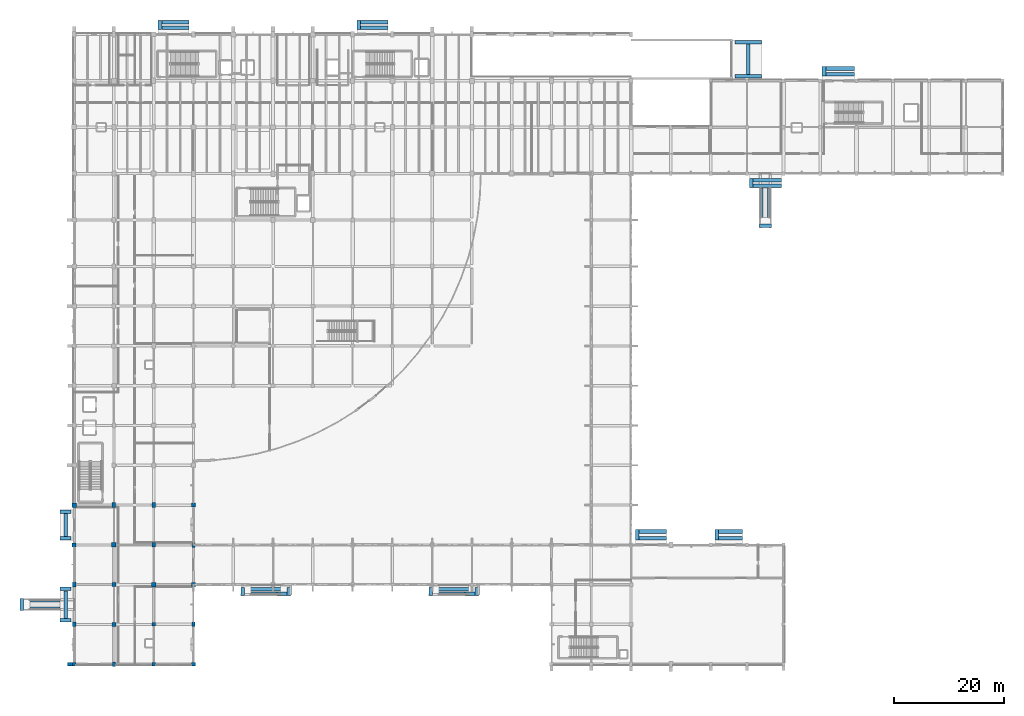
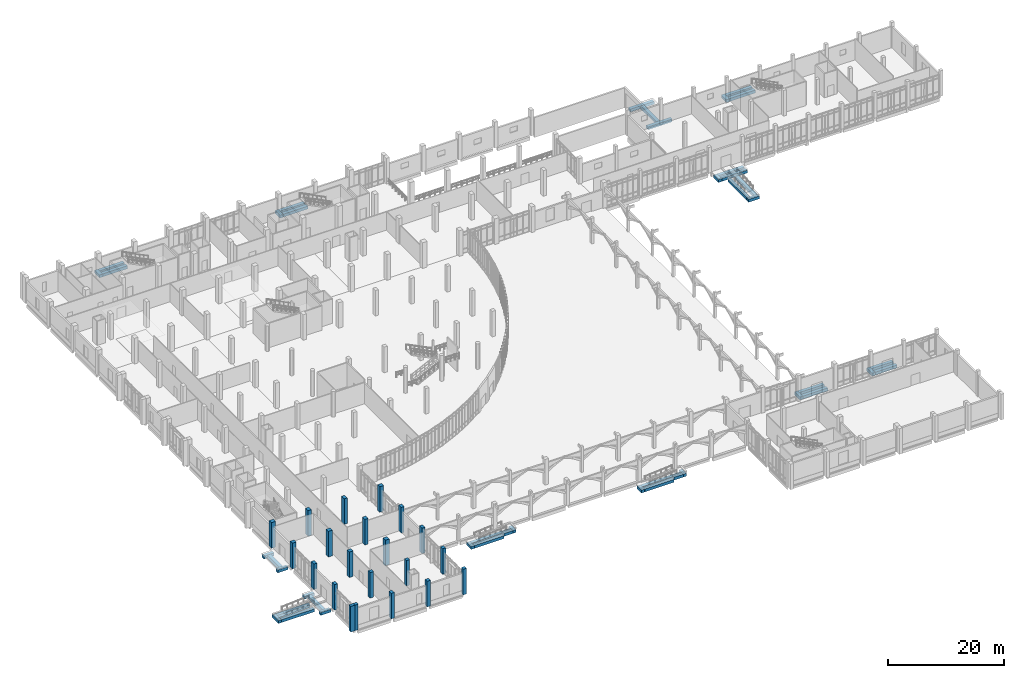
# One storey, part 1 of 110: 43 footings, 21 columns.
"""IFC4 building model written with IfcOpenShell, lengths in metres."""

from ifc_helpers import new_model, si_unit, direction, frame, origin, origin_2d, place, context, subcontext, project, spatial, rectangle, extrude, material, material_profile, profile_set, type_object, element, save


model = new_model("IFC4")

# Units and contexts
model_context = context("Model", 3, precision=1e-05, world=origin(), true_north=direction((0.0, 1.0)))
body_context = subcontext(model_context, "Body", "Model", "MODEL_VIEW")
ifc_project = project(units=[si_unit("LENGTHUNIT", "METRE"), si_unit("AREAUNIT", "SQUARE_METRE"), si_unit("VOLUMEUNIT", "CUBIC_METRE"), si_unit("PLANEANGLEUNIT", "RADIAN"), si_unit("MASSUNIT", "GRAM", prefix="KILO")], contexts=[model_context])

# Site, building, storey
site_placement = place(None, origin())
site = spatial("IfcSite", under=ifc_project, at=site_placement, CompositionType="ELEMENT")
building_placement = place(site_placement, origin())
building = spatial("IfcBuilding", under=site, at=building_placement, Name="Kalluvel Institute of Natural Sciences", CompositionType="ELEMENT")
storey_placement = place(building_placement, origin())
storey = spatial("IfcBuildingStorey", under=building, at=storey_placement, Name="L00", CompositionType="ELEMENT", Elevation=0.0)

# Footings
ifc_material_1 = material(Name="Concrete M40", Category="concrete")
footing_type = type_object("IfcFootingType", Name="FT-STRIP-650x600", PredefinedType="STRIP_FOOTING", material=ifc_material_1)
footing_1_placement = place(storey_placement, frame((47.794921875, 26.75, -1.27001953125), z_axis=(0.0, 0.0, 1.0), x_axis=(1.0, 0.0, 0.0)))
element("IfcFooting", 1, at=footing_1_placement, inside=storey, type_object=footing_type, Name="Accessible ramp R2 south strip footing SF-010", PredefinedType="STRIP_FOOTING", context=body_context, shape_type="SweptSolid", body=[
    extrude(rectangle(XDim=5.8701171875, YDim=0.64990234375, at=origin_2d()), origin(), (0.0, 0.0, 1.0), 0.60009765625),
])
footing_2_placement = place(storey_placement, frame((48.699951171875, 27.60009765625, -1.27001953125), z_axis=(0.0, 0.0, 1.0), x_axis=(1.0, 0.0, 0.0)))
element("IfcFooting", 2, at=footing_2_placement, inside=storey, type_object=footing_type, Name="Accessible ramp R2 north strip footing SF-011", PredefinedType="STRIP_FOOTING", context=body_context, shape_type="SweptSolid", body=[
    extrude(rectangle(XDim=7.679931640625, YDim=0.64990234375, at=origin_2d()), origin(), (0.0, 0.0, 1.0), 0.60009765625),
])
footing_3_placement = place(storey_placement, frame((44.52490234375, 27.175048828125, -1.27001953125), z_axis=(0.0, 0.0, 1.0), x_axis=(1.0, 0.0, 0.0)))
element("IfcFooting", 3, at=footing_3_placement, inside=storey, type_object=footing_type, Name="Accessible ramp R2 west toe strip footing SF-012", PredefinedType="STRIP_FOOTING", context=body_context, shape_type="SweptSolid", body=[
    extrude(rectangle(XDim=0.64990234375, YDim=1.5, at=origin_2d()), origin(), (0.0, 0.0, 1.0), 0.60009765625),
])
footing_4_placement = place(storey_placement, frame((51.639892578125, 26.75, -0.820068359375), z_axis=(0.0, 0.0, 1.0), x_axis=(1.0, 0.0, 0.0)))
element("IfcFooting", 4, at=footing_4_placement, inside=storey, type_object=footing_type, Name="Accessible ramp R2 east top south strip footing SF-013", PredefinedType="STRIP_FOOTING", context=body_context, shape_type="SweptSolid", body=[
    extrude(rectangle(XDim=1.800048828125, YDim=0.64990234375, at=origin_2d()), origin(), (0.0, 0.0, 1.0), 0.60009765625),
])
footing_5_placement = place(storey_placement, frame((52.875, 27.175048828125, -0.820068359375), z_axis=(0.0, 0.0, 1.0), x_axis=(1.0, 0.0, 0.0)))
element("IfcFooting", 5, at=footing_5_placement, inside=storey, type_object=footing_type, Name="Accessible ramp R2 east end strip footing SF-014", PredefinedType="STRIP_FOOTING", context=body_context, shape_type="SweptSolid", body=[
    extrude(rectangle(XDim=0.64990234375, YDim=1.5, at=origin_2d()), origin(), (0.0, 0.0, 1.0), 0.60009765625),
])
footing_6_placement = place(storey_placement, frame((81.794921875, 26.75, -1.27001953125), z_axis=(0.0, 0.0, 1.0), x_axis=(1.0, 0.0, 0.0)))
element("IfcFooting", 6, at=footing_6_placement, inside=storey, type_object=footing_type, Name="Accessible ramp R3 south strip footing SF-015", PredefinedType="STRIP_FOOTING", context=body_context, shape_type="SweptSolid", body=[
    extrude(rectangle(XDim=5.8701171875, YDim=0.64990234375, at=origin_2d()), origin(), (0.0, 0.0, 1.0), 0.60009765625),
])
footing_7_placement = place(storey_placement, frame((82.699951171875, 27.60009765625, -1.27001953125), z_axis=(0.0, 0.0, 1.0), x_axis=(1.0, 0.0, 0.0)))
element("IfcFooting", 7, at=footing_7_placement, inside=storey, type_object=footing_type, Name="Accessible ramp R3 north strip footing SF-016", PredefinedType="STRIP_FOOTING", context=body_context, shape_type="SweptSolid", body=[
    extrude(rectangle(XDim=7.679931640625, YDim=0.64990234375, at=origin_2d()), origin(), (0.0, 0.0, 1.0), 0.60009765625),
])
footing_8_placement = place(storey_placement, frame((78.52490234375, 27.175048828125, -1.27001953125), z_axis=(0.0, 0.0, 1.0), x_axis=(1.0, 0.0, 0.0)))
element("IfcFooting", 8, at=footing_8_placement, inside=storey, type_object=footing_type, Name="Accessible ramp R3 west toe strip footing SF-017", PredefinedType="STRIP_FOOTING", context=body_context, shape_type="SweptSolid", body=[
    extrude(rectangle(XDim=0.64990234375, YDim=1.5, at=origin_2d()), origin(), (0.0, 0.0, 1.0), 0.60009765625),
])
footing_9_placement = place(storey_placement, frame((85.639892578125, 26.75, -0.820068359375), z_axis=(0.0, 0.0, 1.0), x_axis=(1.0, 0.0, 0.0)))
element("IfcFooting", 9, at=footing_9_placement, inside=storey, type_object=footing_type, Name="Accessible ramp R3 east top south strip footing SF-018", PredefinedType="STRIP_FOOTING", context=body_context, shape_type="SweptSolid", body=[
    extrude(rectangle(XDim=1.800048828125, YDim=0.64990234375, at=origin_2d()), origin(), (0.0, 0.0, 1.0), 0.60009765625),
])
footing_10_placement = place(storey_placement, frame((86.875, 27.175048828125, -0.820068359375), z_axis=(0.0, 0.0, 1.0), x_axis=(1.0, 0.0, 0.0)))
element("IfcFooting", 10, at=footing_10_placement, inside=storey, type_object=footing_type, Name="Accessible ramp R3 east end strip footing SF-019", PredefinedType="STRIP_FOOTING", context=body_context, shape_type="SweptSolid", body=[
    extrude(rectangle(XDim=0.64990234375, YDim=1.5, at=origin_2d()), origin(), (0.0, 0.0, 1.0), 0.60009765625),
])
for number, where, z_axis, x_axis, name in (
    (11, (138.35009765625, 96.929931640625, -1.27001953125), (0.0, 0.0, 1.0), (1.0, 0.0, 0.0), "Accessible ramp R4 west strip footing SF-020"),
    (12, (139.85009765625, 96.929931640625, -1.27001953125), (0.0, 0.0, 1.0), (1.0, 0.0, 0.0), "Accessible ramp R4 east strip footing SF-021"),
):
    element("IfcFooting", number, at=place(storey_placement, frame(where, z_axis=z_axis, x_axis=x_axis)), inside=storey, type_object=footing_type, Name=name, PredefinedType="STRIP_FOOTING", context=body_context, shape_type="SweptSolid", body=[
        extrude(rectangle(XDim=0.64990234375, YDim=6.5400390625, at=origin_2d()), origin(), (0.0, 0.0, 1.0), 0.60009765625),
    ])
footing_11_placement = place(storey_placement, frame((139.10009765625, 93.324951171875, -1.27001953125), z_axis=(0.0, 0.0, 1.0), x_axis=(1.0, 0.0, 0.0)))
element("IfcFooting", 13, at=footing_11_placement, inside=storey, type_object=footing_type, Name="Accessible ramp R4 south toe strip footing SF-022", PredefinedType="STRIP_FOOTING", context=body_context, shape_type="SweptSolid", body=[
    extrude(rectangle(XDim=2.14990234375, YDim=0.64990234375, at=origin_2d()), origin(), (0.0, 0.0, 1.0), 0.60009765625),
])
for number, where, z_axis, x_axis, name in (
    (14, (8.1298828125, 24.050048828125, -1.27001953125), (0.0, 0.0, 1.0), (1.0, 0.0, 0.0), "Accessible ramp R5 south strip footing SF-023"),
    (15, (8.1298828125, 25.550048828125, -1.27001953125), (0.0, 0.0, 1.0), (1.0, 0.0, 0.0), "Accessible ramp R5 north strip footing SF-024"),
):
    element("IfcFooting", number, at=place(storey_placement, frame(where, z_axis=z_axis, x_axis=x_axis)), inside=storey, type_object=footing_type, Name=name, PredefinedType="STRIP_FOOTING", context=body_context, shape_type="SweptSolid", body=[
        extrude(rectangle(XDim=6.5400390625, YDim=0.64990234375, at=origin_2d()), origin(), (0.0, 0.0, 1.0), 0.60009765625),
    ])
footing_12_placement = place(storey_placement, frame((4.52490234375, 24.800048828125, -1.27001953125), z_axis=(0.0, 0.0, 1.0), x_axis=(1.0, 0.0, 0.0)))
element("IfcFooting", 16, at=footing_12_placement, inside=storey, type_object=footing_type, Name="Accessible ramp R5 west toe strip footing SF-025", PredefinedType="STRIP_FOOTING", context=body_context, shape_type="SweptSolid", body=[
    extrude(rectangle(XDim=0.64990234375, YDim=2.14990234375, at=origin_2d()), origin(), (0.0, 0.0, 1.0), 0.60009765625),
])
for number, where, z_axis, x_axis, name in (
    (17, (32.330078125, 129.175048828125, -0.840087890625), (0.0, 0.0, 1.0), (1.0, 0.0, 0.0), "Threshold apron E1 south strip footing SF-026"),
    (18, (32.330078125, 130.22509765625, -0.840087890625), (0.0, 0.0, 1.0), (1.0, 0.0, 0.0), "Threshold apron E1 north strip footing SF-027"),
):
    element("IfcFooting", number, at=place(storey_placement, frame(where, z_axis=z_axis, x_axis=x_axis)), inside=storey, type_object=footing_type, Name=name, PredefinedType="STRIP_FOOTING", context=body_context, shape_type="SweptSolid", body=[
        extrude(rectangle(XDim=4.93994140625, YDim=0.64990234375, at=origin_2d()), origin(), (0.0, 0.0, 1.0), 0.60009765625),
    ])
footing_13_placement = place(storey_placement, frame((29.52490234375, 129.699951171875, -0.840087890625), z_axis=(0.0, 0.0, 1.0), x_axis=(1.0, 0.0, 0.0)))
element("IfcFooting", 19, at=footing_13_placement, inside=storey, type_object=footing_type, Name="Threshold apron E1 cross strip footing SF-028", PredefinedType="STRIP_FOOTING", context=body_context, shape_type="SweptSolid", body=[
    extrude(rectangle(XDim=0.64990234375, YDim=1.699951171875, at=origin_2d()), origin(), (0.0, 0.0, 1.0), 0.60009765625),
])
for number, where, z_axis, x_axis, name in (
    (20, (68.330078125, 129.175048828125, -0.840087890625), (0.0, 0.0, 1.0), (1.0, 0.0, 0.0), "Threshold apron E2 south strip footing SF-029"),
    (21, (68.330078125, 130.22509765625, -0.840087890625), (0.0, 0.0, 1.0), (1.0, 0.0, 0.0), "Threshold apron E2 north strip footing SF-030"),
):
    element("IfcFooting", number, at=place(storey_placement, frame(where, z_axis=z_axis, x_axis=x_axis)), inside=storey, type_object=footing_type, Name=name, PredefinedType="STRIP_FOOTING", context=body_context, shape_type="SweptSolid", body=[
        extrude(rectangle(XDim=4.93994140625, YDim=0.64990234375, at=origin_2d()), origin(), (0.0, 0.0, 1.0), 0.60009765625),
    ])
footing_14_placement = place(storey_placement, frame((65.52490234375, 129.699951171875, -0.840087890625), z_axis=(0.0, 0.0, 1.0), x_axis=(1.0, 0.0, 0.0)))
element("IfcFooting", 22, at=footing_14_placement, inside=storey, type_object=footing_type, Name="Threshold apron E2 cross strip footing SF-031", PredefinedType="STRIP_FOOTING", context=body_context, shape_type="SweptSolid", body=[
    extrude(rectangle(XDim=0.64990234375, YDim=1.699951171875, at=origin_2d()), origin(), (0.0, 0.0, 1.0), 0.60009765625),
])
for number, where, z_axis, x_axis, name in (
    (23, (152.6298828125, 120.77490234375, -0.840087890625), (0.0, 0.0, 1.0), (1.0, 0.0, 0.0), "Threshold apron E9 south strip footing SF-032"),
    (24, (152.6298828125, 121.824951171875, -0.840087890625), (0.0, 0.0, 1.0), (1.0, 0.0, 0.0), "Threshold apron E9 north strip footing SF-033"),
):
    element("IfcFooting", number, at=place(storey_placement, frame(where, z_axis=z_axis, x_axis=x_axis)), inside=storey, type_object=footing_type, Name=name, PredefinedType="STRIP_FOOTING", context=body_context, shape_type="SweptSolid", body=[
        extrude(rectangle(XDim=5.139892578125, YDim=0.64990234375, at=origin_2d()), origin(), (0.0, 0.0, 1.0), 0.60009765625),
    ])
footing_15_placement = place(storey_placement, frame((149.72509765625, 121.300048828125, -0.840087890625), z_axis=(0.0, 0.0, 1.0), x_axis=(1.0, 0.0, 0.0)))
element("IfcFooting", 25, at=footing_15_placement, inside=storey, type_object=footing_type, Name="Threshold apron E9 cross strip footing SF-034", PredefinedType="STRIP_FOOTING", context=body_context, shape_type="SweptSolid", body=[
    extrude(rectangle(XDim=0.64990234375, YDim=1.699951171875, at=origin_2d()), origin(), (0.0, 0.0, 1.0), 0.60009765625),
])
for number, where, z_axis, x_axis, name in (
    (26, (118.72998046875, 36.77490234375, -0.840087890625), (0.0, 0.0, 1.0), (1.0, 0.0, 0.0), "Threshold apron E10 south strip footing SF-035"),
    (27, (118.72998046875, 38.02490234375, -0.840087890625), (0.0, 0.0, 1.0), (1.0, 0.0, 0.0), "Threshold apron E10 north strip footing SF-036"),
):
    element("IfcFooting", number, at=place(storey_placement, frame(where, z_axis=z_axis, x_axis=x_axis)), inside=storey, type_object=footing_type, Name=name, PredefinedType="STRIP_FOOTING", context=body_context, shape_type="SweptSolid", body=[
        extrude(rectangle(XDim=4.93994140625, YDim=0.64990234375, at=origin_2d()), origin(), (0.0, 0.0, 1.0), 0.60009765625),
    ])
footing_16_placement = place(storey_placement, frame((115.925048828125, 37.39990234375, -0.840087890625), z_axis=(0.0, 0.0, 1.0), x_axis=(1.0, 0.0, 0.0)))
element("IfcFooting", 28, at=footing_16_placement, inside=storey, type_object=footing_type, Name="Threshold apron E10 cross strip footing SF-037", PredefinedType="STRIP_FOOTING", context=body_context, shape_type="SweptSolid", body=[
    extrude(rectangle(XDim=0.64990234375, YDim=1.89990234375, at=origin_2d()), origin(), (0.0, 0.0, 1.0), 0.60009765625),
])
for number, where, z_axis, x_axis, name in (
    (29, (132.830078125, 36.77490234375, -0.840087890625), (0.0, 0.0, 1.0), (1.0, 0.0, 0.0), "Threshold apron E11 south strip footing SF-038"),
    (30, (132.830078125, 38.02490234375, -0.840087890625), (0.0, 0.0, 1.0), (1.0, 0.0, 0.0), "Threshold apron E11 north strip footing SF-039"),
):
    element("IfcFooting", number, at=place(storey_placement, frame(where, z_axis=z_axis, x_axis=x_axis)), inside=storey, type_object=footing_type, Name=name, PredefinedType="STRIP_FOOTING", context=body_context, shape_type="SweptSolid", body=[
        extrude(rectangle(XDim=4.340087890625, YDim=0.64990234375, at=origin_2d()), origin(), (0.0, 0.0, 1.0), 0.60009765625),
    ])
footing_17_placement = place(storey_placement, frame((130.324951171875, 37.39990234375, -0.840087890625), z_axis=(0.0, 0.0, 1.0), x_axis=(1.0, 0.0, 0.0)))
element("IfcFooting", 31, at=footing_17_placement, inside=storey, type_object=footing_type, Name="Threshold apron E11 cross strip footing SF-040", PredefinedType="STRIP_FOOTING", context=body_context, shape_type="SweptSolid", body=[
    extrude(rectangle(XDim=0.64990234375, YDim=1.89990234375, at=origin_2d()), origin(), (0.0, 0.0, 1.0), 0.60009765625),
])
for number, where, z_axis, x_axis, name in (
    (32, (139.429931640625, 100.574951171875, -0.840087890625), (0.0, 0.0, 1.0), (1.0, 0.0, 0.0), "Threshold apron E8 south strip footing SF-041"),
    (33, (139.429931640625, 101.625, -0.840087890625), (0.0, 0.0, 1.0), (1.0, 0.0, 0.0), "Threshold apron E8 north strip footing SF-042"),
):
    element("IfcFooting", number, at=place(storey_placement, frame(where, z_axis=z_axis, x_axis=x_axis)), inside=storey, type_object=footing_type, Name=name, PredefinedType="STRIP_FOOTING", context=body_context, shape_type="SweptSolid", body=[
        extrude(rectangle(XDim=5.139892578125, YDim=0.64990234375, at=origin_2d()), origin(), (0.0, 0.0, 1.0), 0.60009765625),
    ])
footing_18_placement = place(storey_placement, frame((136.52490234375, 101.10009765625, -0.840087890625), z_axis=(0.0, 0.0, 1.0), x_axis=(1.0, 0.0, 0.0)))
element("IfcFooting", 34, at=footing_18_placement, inside=storey, type_object=footing_type, Name="Threshold apron E8 cross strip footing SF-043", PredefinedType="STRIP_FOOTING", context=body_context, shape_type="SweptSolid", body=[
    extrude(rectangle(XDim=0.64990234375, YDim=1.699951171875, at=origin_2d()), origin(), (0.0, 0.0, 1.0), 0.60009765625),
])
for number, where, z_axis, x_axis, name in (
    (35, (12.449951171875, 36.77490234375, -0.840087890625), (0.0, 0.0, 1.0), (1.0, 0.0, 0.0), "Threshold apron E3 south strip footing SF-044"),
    (36, (12.449951171875, 41.625, -0.840087890625), (0.0, 0.0, 1.0), (1.0, 0.0, 0.0), "Threshold apron E3 north strip footing SF-045"),
):
    element("IfcFooting", number, at=place(storey_placement, frame(where, z_axis=z_axis, x_axis=x_axis)), inside=storey, type_object=footing_type, Name=name, PredefinedType="STRIP_FOOTING", context=body_context, shape_type="SweptSolid", body=[
        extrude(rectangle(XDim=2.0, YDim=0.64990234375, at=origin_2d()), origin(), (0.0, 0.0, 1.0), 0.60009765625),
    ])
footing_19_placement = place(storey_placement, frame((12.449951171875, 39.199951171875, -0.840087890625), z_axis=(0.0, 0.0, 1.0), x_axis=(1.0, 0.0, 0.0)))
element("IfcFooting", 37, at=footing_19_placement, inside=storey, type_object=footing_type, Name="Threshold apron E3 cross strip footing SF-046", PredefinedType="STRIP_FOOTING", context=body_context, shape_type="SweptSolid", body=[
    extrude(rectangle(XDim=0.64990234375, YDim=4.179931640625, at=origin_2d()), origin(), (0.0, 0.0, 1.0), 0.60009765625),
])
for number, where, z_axis, x_axis, name in (
    (38, (12.449951171875, 21.97509765625, -0.840087890625), (0.0, 0.0, 1.0), (1.0, 0.0, 0.0), "Threshold apron E4 south strip footing SF-047"),
    (39, (12.449951171875, 27.625, -0.840087890625), (0.0, 0.0, 1.0), (1.0, 0.0, 0.0), "Threshold apron E4 north strip footing SF-048"),
):
    element("IfcFooting", number, at=place(storey_placement, frame(where, z_axis=z_axis, x_axis=x_axis)), inside=storey, type_object=footing_type, Name=name, PredefinedType="STRIP_FOOTING", context=body_context, shape_type="SweptSolid", body=[
        extrude(rectangle(XDim=2.0, YDim=0.64990234375, at=origin_2d()), origin(), (0.0, 0.0, 1.0), 0.60009765625),
    ])
footing_20_placement = place(storey_placement, frame((12.449951171875, 24.800048828125, -0.840087890625), z_axis=(0.0, 0.0, 1.0), x_axis=(1.0, 0.0, 0.0)))
element("IfcFooting", 40, at=footing_20_placement, inside=storey, type_object=footing_type, Name="Threshold apron E4 cross strip footing SF-049", PredefinedType="STRIP_FOOTING", context=body_context, shape_type="SweptSolid", body=[
    extrude(rectangle(XDim=0.64990234375, YDim=4.97998046875, at=origin_2d()), origin(), (0.0, 0.0, 1.0), 0.60009765625),
])
for number, where, z_axis, x_axis, name in (
    (41, (136.0, 120.425048828125, -0.840087890625), (0.0, 0.0, 1.0), (1.0, 0.0, 0.0), "Threshold apron VD01 south strip footing SF-050"),
    (42, (136.0, 126.574951171875, -0.840087890625), (0.0, 0.0, 1.0), (1.0, 0.0, 0.0), "Threshold apron VD01 north strip footing SF-051"),
):
    element("IfcFooting", number, at=place(storey_placement, frame(where, z_axis=z_axis, x_axis=x_axis)), inside=storey, type_object=footing_type, Name=name, PredefinedType="STRIP_FOOTING", context=body_context, shape_type="SweptSolid", body=[
        extrude(rectangle(XDim=4.800048828125, YDim=0.64990234375, at=origin_2d()), origin(), (0.0, 0.0, 1.0), 0.60009765625),
    ])
footing_21_placement = place(storey_placement, frame((136.0, 123.5, -0.840087890625), z_axis=(0.0, 0.0, 1.0), x_axis=(1.0, 0.0, 0.0)))
element("IfcFooting", 43, at=footing_21_placement, inside=storey, type_object=footing_type, Name="Threshold apron VD01 cross strip footing SF-052", PredefinedType="STRIP_FOOTING", context=body_context, shape_type="SweptSolid", body=[
    extrude(rectangle(XDim=0.64990234375, YDim=5.47998046875, at=origin_2d()), origin(), (0.0, 0.0, 1.0), 0.60009765625),
])

# Columns
ifc_material_2 = material(Name="Concrete M50", Category="concrete")
ifc_material_profile_1 = material_profile(ifc_material_2, rectangle(XDim=0.60009765625, YDim=0.800048828125, at=origin_2d()), Name="RC 600x800")
ifc_profile_set_1 = profile_set([ifc_material_profile_1], Name="Concrete M50")
column_type_1 = type_object("IfcColumnType", Name="COL-RC600x800", PredefinedType="COLUMN", material=ifc_profile_set_1)
for number, where, z_axis, x_axis, name in (
    (44, (14.0, 21.199951171875, 0.0), (0.0, 0.0, 1.0), (1.0, 0.0, 0.0), "L00 structural column COL-L00-X140-Y212"),
    (45, (21.199951171875, 14.0, 0.0), (0.0, 0.0, 1.0), (1.0, 0.0, 0.0), "L00 structural column COL-L00-X212-Y140"),
    (46, (35.60009765625, 21.199951171875, 0.0), (0.0, 0.0, 1.0), (1.0, 0.0, 0.0), "L00 structural column COL-L00-X356-Y212"),
):
    element("IfcColumn", number, at=place(storey_placement, frame(where, z_axis=z_axis, x_axis=x_axis)), inside=storey, type_object=column_type_1, Name=name, PredefinedType="COLUMN", context=body_context, shape_type="SweptSolid", body=[
        extrude(rectangle(XDim=0.60009765625, YDim=0.800048828125, at=origin_2d()), origin(), (0.0, 0.0, 1.0), 5.39990234375),
    ])
ifc_material_profile_2 = material_profile(ifc_material_2, rectangle(XDim=0.60009765625, YDim=0.89990234375, at=origin_2d()), Name="RC 600x900")
ifc_profile_set_2 = profile_set([ifc_material_profile_2], Name="Concrete M50")
column_type_2 = type_object("IfcColumnType", Name="COL-RC600x900", PredefinedType="COLUMN", material=ifc_profile_set_2)
for number, where, z_axis, x_axis, name in (
    (47, (14.0, 28.39990234375, 0.0), (0.0, 0.0, 1.0), (1.0, 0.0, 0.0), "L00 structural column COL-L00-X140-Y284"),
    (48, (28.39990234375, 42.800048828125, 0.0), (0.0, 0.0, 1.0), (1.0, 0.0, 0.0), "L00 structural column COL-L00-X284-Y428"),
    (49, (35.60009765625, 35.60009765625, 0.0), (0.0, 0.0, 1.0), (1.0, 0.0, 0.0), "L00 structural column COL-L00-X356-Y356"),
):
    element("IfcColumn", number, at=place(storey_placement, frame(where, z_axis=z_axis, x_axis=x_axis)), inside=storey, type_object=column_type_2, Name=name, PredefinedType="COLUMN", context=body_context, shape_type="SweptSolid", body=[
        extrude(rectangle(XDim=0.60009765625, YDim=0.89990234375, at=origin_2d()), origin(), (0.0, 0.0, 1.0), 5.39990234375),
    ])
ifc_material_profile_3 = material_profile(ifc_material_1, rectangle(XDim=0.64990234375, YDim=0.64990234375, at=origin_2d()), Name="RC 650x650")
ifc_profile_set_3 = profile_set([ifc_material_profile_3], Name="Concrete M40")
column_type_3 = type_object("IfcColumnType", Name="COL-RC650", PredefinedType="COLUMN", material=ifc_profile_set_3)
for number, where, z_axis, x_axis, name in (
    (50, (14.0, 14.0, 0.0), (0.0, 0.0, 1.0), (1.0, 0.0, 0.0), "L00 structural column COL-L00-X140-Y140"),
    (51, (28.39990234375, 21.199951171875, 0.0), (0.0, 0.0, 1.0), (1.0, 0.0, 0.0), "L00 structural column COL-L00-X284-Y212"),
    (52, (35.60009765625, 14.0, 0.0), (0.0, 0.0, 1.0), (1.0, 0.0, 0.0), "L00 structural column COL-L00-X356-Y140"),
):
    element("IfcColumn", number, at=place(storey_placement, frame(where, z_axis=z_axis, x_axis=x_axis)), inside=storey, type_object=column_type_3, Name=name, PredefinedType="COLUMN", context=body_context, shape_type="SweptSolid", body=[
        extrude(rectangle(XDim=0.64990234375, YDim=0.64990234375, at=origin_2d()), origin(), (0.0, 0.0, 1.0), 5.39990234375),
    ])
ifc_material_profile_4 = material_profile(ifc_material_2, rectangle(XDim=0.64990234375, YDim=0.85009765625, at=origin_2d()), Name="RC 650x850")
ifc_profile_set_4 = profile_set([ifc_material_profile_4], Name="Concrete M50")
column_type_4 = type_object("IfcColumnType", Name="COL-RC650x850", PredefinedType="COLUMN", material=ifc_profile_set_4)
for number, where, z_axis, x_axis, name in (
    (53, (21.199951171875, 42.800048828125, 0.0), (0.0, 0.0, 1.0), (1.0, 0.0, 0.0), "L00 structural column COL-L00-X212-Y428"),
    (54, (28.39990234375, 35.60009765625, 0.0), (0.0, 0.0, 1.0), (1.0, 0.0, 0.0), "L00 structural column COL-L00-X284-Y356"),
    (55, (35.60009765625, 28.39990234375, 0.0), (0.0, 0.0, 1.0), (1.0, 0.0, 0.0), "L00 structural column COL-L00-X356-Y284"),
):
    element("IfcColumn", number, at=place(storey_placement, frame(where, z_axis=z_axis, x_axis=x_axis)), inside=storey, type_object=column_type_4, Name=name, PredefinedType="COLUMN", context=body_context, shape_type="SweptSolid", body=[
        extrude(rectangle(XDim=0.64990234375, YDim=0.85009765625, at=origin_2d()), origin(), (0.0, 0.0, 1.0), 5.39990234375),
    ])
ifc_material_profile_5 = material_profile(ifc_material_1, rectangle(XDim=0.699951171875, YDim=0.699951171875, at=origin_2d()), Name="RC 700x700")
ifc_profile_set_5 = profile_set([ifc_material_profile_5], Name="Concrete M40")
column_type_5 = type_object("IfcColumnType", Name="COL-RC700", PredefinedType="COLUMN", material=ifc_profile_set_5)
for number, where, z_axis, x_axis, name in (
    (56, (21.199951171875, 21.199951171875, 0.0), (0.0, 0.0, 1.0), (1.0, 0.0, 0.0), "L00 structural column COL-L00-X212-Y212"),
    (57, (28.39990234375, 14.0, 0.0), (0.0, 0.0, 1.0), (1.0, 0.0, 0.0), "L00 structural column COL-L00-X284-Y140"),
):
    element("IfcColumn", number, at=place(storey_placement, frame(where, z_axis=z_axis, x_axis=x_axis)), inside=storey, type_object=column_type_5, Name=name, PredefinedType="COLUMN", context=body_context, shape_type="SweptSolid", body=[
        extrude(rectangle(XDim=0.699951171875, YDim=0.699951171875, at=origin_2d()), origin(), (0.0, 0.0, 1.0), 5.39990234375),
    ])
ifc_material_profile_6 = material_profile(ifc_material_2, rectangle(XDim=0.75, YDim=0.75, at=origin_2d()), Name="RC 750x750")
ifc_profile_set_6 = profile_set([ifc_material_profile_6], Name="Concrete M50")
column_type_6 = type_object("IfcColumnType", Name="COL-RC750", PredefinedType="COLUMN", material=ifc_profile_set_6)
for number, where, z_axis, x_axis, name in (
    (58, (14.0, 35.60009765625, 0.0), (0.0, 0.0, 1.0), (1.0, 0.0, 0.0), "L00 structural column COL-L00-X140-Y356"),
    (59, (21.199951171875, 28.39990234375, 0.0), (0.0, 0.0, 1.0), (1.0, 0.0, 0.0), "L00 structural column COL-L00-X212-Y284"),
    (60, (35.60009765625, 42.800048828125, 0.0), (0.0, 0.0, 1.0), (1.0, 0.0, 0.0), "L00 structural column COL-L00-X356-Y428"),
):
    element("IfcColumn", number, at=place(storey_placement, frame(where, z_axis=z_axis, x_axis=x_axis)), inside=storey, type_object=column_type_6, Name=name, PredefinedType="COLUMN", context=body_context, shape_type="SweptSolid", body=[
        extrude(rectangle(XDim=0.75, YDim=0.75, at=origin_2d()), origin(), (0.0, 0.0, 1.0), 5.39990234375),
    ])
ifc_material_profile_7 = material_profile(ifc_material_2, rectangle(XDim=0.800048828125, YDim=0.800048828125, at=origin_2d()), Name="RC 800x800")
ifc_profile_set_7 = profile_set([ifc_material_profile_7], Name="Concrete M50")
column_type_7 = type_object("IfcColumnType", Name="COL-RC800", PredefinedType="COLUMN", material=ifc_profile_set_7)
for number, where, z_axis, x_axis, name in (
    (61, (14.0, 42.800048828125, 0.0), (0.0, 0.0, 1.0), (1.0, 0.0, 0.0), "L00 structural column COL-L00-X140-Y428"),
    (62, (21.199951171875, 35.60009765625, 0.0), (0.0, 0.0, 1.0), (1.0, 0.0, 0.0), "L00 structural column COL-L00-X212-Y356"),
    (63, (28.39990234375, 28.39990234375, 0.0), (0.0, 0.0, 1.0), (1.0, 0.0, 0.0), "L00 structural column COL-L00-X284-Y284"),
):
    element("IfcColumn", number, at=place(storey_placement, frame(where, z_axis=z_axis, x_axis=x_axis)), inside=storey, type_object=column_type_7, Name=name, PredefinedType="COLUMN", context=body_context, shape_type="SweptSolid", body=[
        extrude(rectangle(XDim=0.800048828125, YDim=0.800048828125, at=origin_2d()), origin(), (0.0, 0.0, 1.0), 5.39990234375),
    ])
ifc_material_3 = material(Name="Sadarahalli Granite Precast Concrete M45", Category="masonry")
ifc_material_profile_8 = material_profile(ifc_material_3, rectangle(XDim=0.60009765625, YDim=0.85009765625, at=origin_2d()), Name="PIL 600x850")
ifc_profile_set_8 = profile_set([ifc_material_profile_8], Name="Sadarahalli Granite Precast Concrete M45")
column_type_8 = type_object("IfcColumnType", Name="PIL-600x850", PredefinedType="PILASTER", material=ifc_profile_set_8)
column_placement = place(storey_placement, frame((13.2470703125, 14.0, 0.0), z_axis=(0.0, 0.0, 1.0), x_axis=(0.0, 1.0, 0.0)))
element("IfcColumn", 64, at=column_placement, inside=storey, type_object=column_type_8, Name="L00 Gothic stepped Sadarahalli granite buttress 72", PredefinedType="PILASTER", context=body_context, shape_type="SweptSolid", body=[
    extrude(rectangle(XDim=0.60009765625, YDim=0.85009765625, at=origin_2d()), origin(), (0.0, 0.0, 1.0), 5.39990234375),
])

save(model, "model.ifc")
